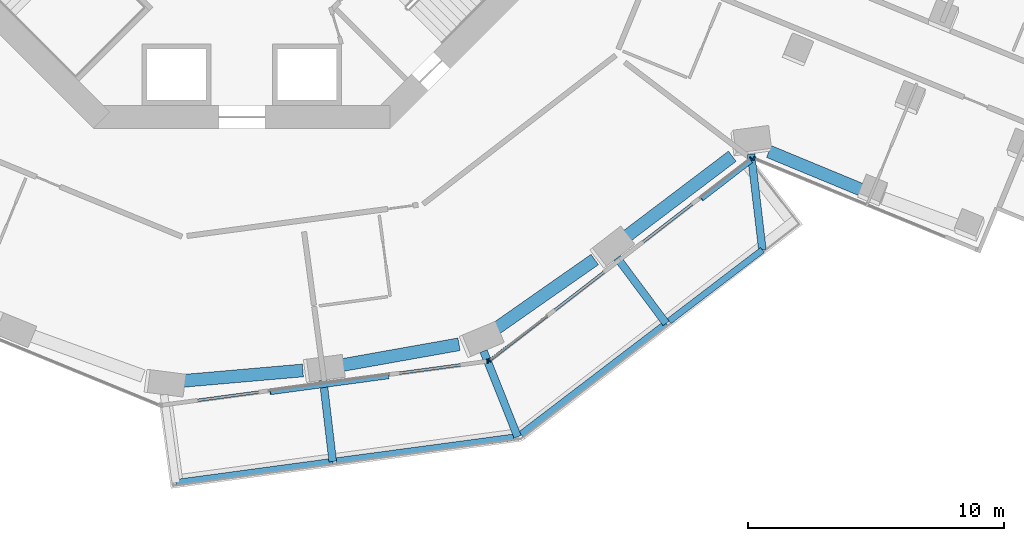
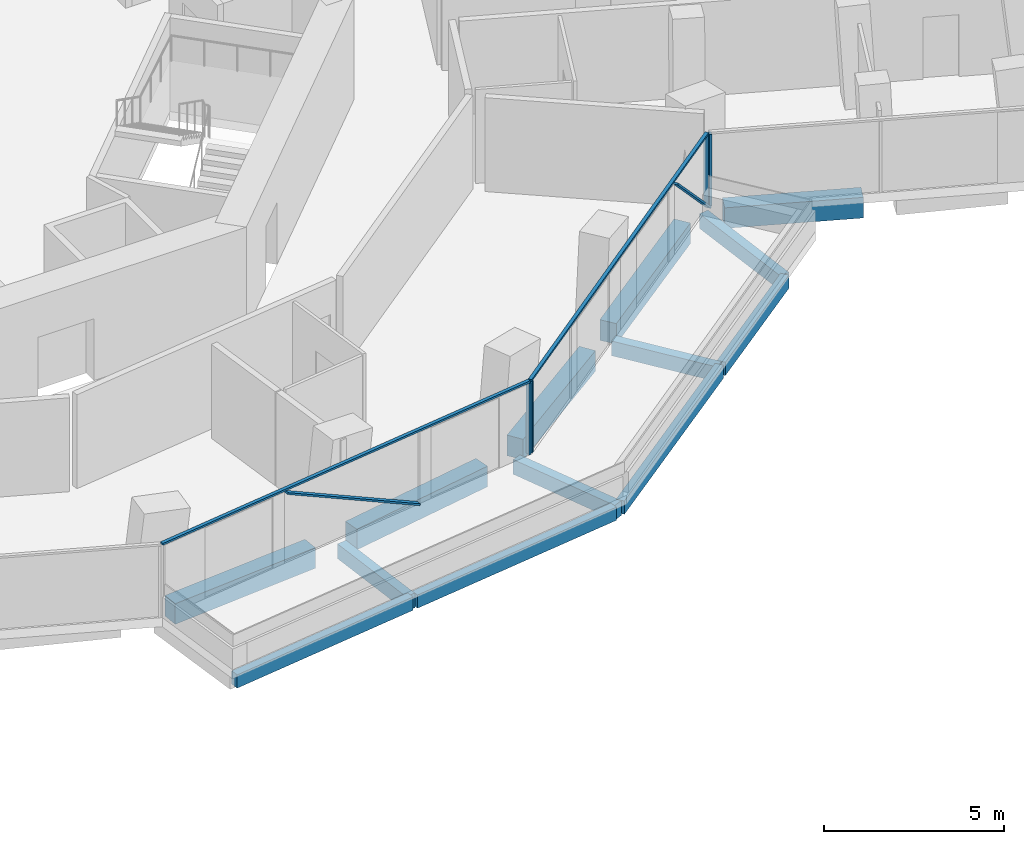
# One storey, part 5 of 27: 13 beams, 8 members, 3 elements without a shape of their own.
"""IFC4 building model written with IfcOpenShell, lengths in metres."""

from ifc_helpers import new_model, si_unit, direction, frame, origin, origin_2d, place, context, subcontext, project, spatial, rectangle, extrude, material, layer, layer_set, material_profile, profile_set, type_object, element, aggregate, save


model = new_model("IFC4")

# Units and contexts
model_context = context("Model", 3, precision=1e-05, world=origin(), true_north=direction((0.0, 1.0)))
body_context = subcontext(model_context, "Body", "Model", "MODEL_VIEW")
ifc_project = project(units=[si_unit("LENGTHUNIT", "METRE"), si_unit("AREAUNIT", "SQUARE_METRE"), si_unit("VOLUMEUNIT", "CUBIC_METRE"), si_unit("PLANEANGLEUNIT", "RADIAN"), si_unit("MASSUNIT", "GRAM", prefix="KILO")], contexts=[model_context])

# Site, building, storey
site_placement = place(None, origin())
site = spatial("IfcSite", under=ifc_project, at=site_placement, CompositionType="ELEMENT")
building_placement = place(site_placement, origin())
building = spatial("IfcBuilding", under=site, at=building_placement, Name="Verdalira Terraces Hotel", CompositionType="ELEMENT")
storey_placement = place(building_placement, frame((0.0, 0.0, 64.5)))
storey = spatial("IfcBuildingStorey", under=building, at=storey_placement, Name="L14", CompositionType="ELEMENT", Elevation=64.5)

# Beams
ifc_material_1 = material(Name="Concrete C40", Category="concrete")
ifc_material_profile_1 = material_profile(ifc_material_1, rectangle(XDim=0.300049, YDim=0.5, at=origin_2d()), Name="RC 300X500")
ifc_profile_set_1 = profile_set([ifc_material_profile_1], Name="Concrete C40")
beam_type_1 = type_object("IfcBeamType", Name="Balcony cantilever beam RC 300X500 C40", PredefinedType="BEAM", material=ifc_profile_set_1)
beam_1_placement = place(storey_placement, frame((3.180664, -23.846924, -0.560059), z_axis=(0.11700942, -0.993130805, 0.0), x_axis=(0.993130805, 0.11700942, 0.0)))
element("IfcBeam", 1, at=beam_1_placement, inside=storey, type_object=beam_type_1, Name="Balcony cantilever beam R26-2", PredefinedType="BEAM", context=body_context, shape_type="SweptSolid", body=[
    extrude(rectangle(XDim=0.300049, YDim=0.5, at=origin_2d()), origin(), (0.0, 0.0, 1.0), 3.200684),
])
beam_2_placement = place(storey_placement, frame((9.453125, -22.712402, -0.560059), z_axis=(0.370092384, -0.928994956, 0.0), x_axis=(0.928994956, 0.370092384, 0.0)))
element("IfcBeam", 2, at=beam_2_placement, inside=storey, type_object=beam_type_1, Name="Balcony cantilever beam R26-3", PredefinedType="BEAM", context=body_context, shape_type="SweptSolid", body=[
    extrude(rectangle(XDim=0.300049, YDim=0.5, at=origin_2d()), origin(), (0.0, 0.0, 1.0), 3.599854),
])
beam_3_placement = place(storey_placement, frame((14.677979, -19.061768, -0.560059), z_axis=(0.597947662, -0.801535148, 0.0), x_axis=(0.801535148, 0.597947662, 0.0)))
element("IfcBeam", 3, at=beam_3_placement, inside=storey, type_object=beam_type_1, Name="Balcony cantilever beam R26-4", PredefinedType="BEAM", context=body_context, shape_type="SweptSolid", body=[
    extrude(rectangle(XDim=0.300049, YDim=0.5, at=origin_2d()), origin(), (0.0, 0.0, 1.0), 3.200684),
])
beam_4_placement = place(storey_placement, frame((19.915283, -15.008789, -0.560059), z_axis=(0.117006459, -0.993131154, 0.0), x_axis=(0.993131154, 0.117006459, 0.0)))
element("IfcBeam", 4, at=beam_4_placement, inside=storey, type_object=beam_type_1, Name="Balcony cantilever beam R26-5", PredefinedType="BEAM", context=body_context, shape_type="SweptSolid", body=[
    extrude(rectangle(XDim=0.300049, YDim=0.5, at=origin_2d()), origin(), (0.0, 0.0, 1.0), 3.772461),
])
ifc_material_2 = material(Name="Concrete C40", Category="concrete")
ifc_material_profile_2 = material_profile(ifc_material_2, rectangle(XDim=0.25, YDim=0.449951, at=origin_2d()), Name="RC 250X450")
ifc_profile_set_2 = profile_set([ifc_material_profile_2], Name="Concrete C40")
beam_type_2 = type_object("IfcBeamType", Name="Balcony edge beam RC 250X450 C40", PredefinedType="BEAM", material=ifc_profile_set_2)
beam_5_placement = place(storey_placement, frame((-2.578613, -27.852783, -0.534912), z_axis=(0.991029743, 0.133641489, 0.0), x_axis=(-0.133641489, 0.991029743, 0.0)))
element("IfcBeam", 5, at=beam_5_placement, inside=storey, type_object=beam_type_2, Name="Balcony edge beam R26-1", PredefinedType="BEAM", context=body_context, shape_type="SweptSolid", body=[
    extrude(rectangle(XDim=0.25, YDim=0.449951, at=origin_2d()), origin(), (0.0, 0.0, 1.0), 6.189209),
])
beam_6_placement = place(storey_placement, frame((3.703857, -27.005615, -0.534912), z_axis=(0.991139526, 0.132824851, 0.0), x_axis=(-0.132824851, 0.991139526, 0.0)))
element("IfcBeam", 6, at=beam_6_placement, inside=storey, type_object=beam_type_2, Name="Balcony edge beam R26-2", PredefinedType="BEAM", context=body_context, shape_type="SweptSolid", body=[
    extrude(rectangle(XDim=0.25, YDim=0.449951, at=origin_2d()), origin(), (0.0, 0.0, 1.0), 6.990234),
])
beam_7_placement = place(storey_placement, frame((10.90918, -25.962158, -0.534912), z_axis=(0.795070882, 0.606516523, 0.0), x_axis=(-0.606516523, 0.795070882, 0.0)))
element("IfcBeam", 7, at=beam_7_placement, inside=storey, type_object=beam_type_2, Name="Balcony edge beam R26-3", PredefinedType="BEAM", context=body_context, shape_type="SweptSolid", body=[
    extrude(rectangle(XDim=0.25, YDim=0.449951, at=origin_2d()), origin(), (0.0, 0.0, 1.0), 7.147217),
])
beam_8_placement = place(storey_placement, frame((16.710938, -21.536377, -0.534912), z_axis=(0.795085698, 0.6064971, 0.0), x_axis=(-0.6064971, 0.795085698, 0.0)))
element("IfcBeam", 8, at=beam_8_placement, inside=storey, type_object=beam_type_2, Name="Balcony edge beam R26-4", PredefinedType="BEAM", context=body_context, shape_type="SweptSolid", body=[
    extrude(rectangle(XDim=0.25, YDim=0.449951, at=origin_2d()), origin(), (0.0, 0.0, 1.0), 4.585449),
])

# Curtain wall, member
ifc_material_3 = material(Name="Clear glass", Category="glass")
ifc_layer_1 = layer(ifc_material_3, 0.14990234375)
ifc_layer_set_1 = layer_set([ifc_layer_1], Name="CW1 curtain wall")
curtain_wall_type_1 = type_object("IfcCurtainWallType", Name="CW1 curtain wall", PredefinedType="NOTDEFINED", material=ifc_layer_set_1)
curtain_wall_1_placement = place(storey_placement, origin())
curtain_wall_1 = element("IfcCurtainWall", 9, at=curtain_wall_1_placement, inside=storey, type_object=curtain_wall_type_1, Name="CW1 curtain wall L14 edge 26", PredefinedType="NOTDEFINED")
ifc_material_4 = material(Name="Terracotta frame", Category="masonry")
ifc_material_profile_3 = material_profile(ifc_material_4, rectangle(XDim=0.060059, YDim=0.149902, at=origin_2d()), Name="MU 60x150")
ifc_profile_set_3 = profile_set([ifc_material_profile_3], Name="Terracotta frame")
member_type_1 = type_object("IfcMemberType", Name="CW1 mullion 60x150", PredefinedType="MULLION", material=ifc_profile_set_3)
member_1_placement = place(storey_placement, frame((9.604004, -23.107178, 0.0), z_axis=(0.0, 0.0, 1.0), x_axis=(0.991029909, 0.133640259, 0.0)))
member_1 = element("IfcMember", 10, at=member_1_placement, type_object=member_type_1, Name="CW1 mullion", PredefinedType="MULLION", context=body_context, shape_type="SweptSolid", body=[
    extrude(rectangle(XDim=0.060059, YDim=0.149902, at=origin_2d()), origin(), (0.0, 0.0, 1.0), 2.425049),
])

# Curtain wall, members
curtain_wall_2_placement = place(storey_placement, origin())
curtain_wall_2 = element("IfcCurtainWall", 11, at=curtain_wall_2_placement, inside=storey, type_object=curtain_wall_type_1, Name="CW1 curtain wall L14 edge 27", PredefinedType="NOTDEFINED")
member_2_placement = place(storey_placement, frame((9.693359, -23.069824, 0.0), z_axis=(0.0, 0.0, 1.0), x_axis=(0.791436948, 0.611250814, 0.0)))
member_2 = element("IfcMember", 12, at=member_2_placement, type_object=member_type_1, Name="CW1 mullion", PredefinedType="MULLION", context=body_context, shape_type="SweptSolid", body=[
    extrude(rectangle(XDim=0.060059, YDim=0.149902, at=origin_2d()), origin(), (0.0, 0.0, 1.0), 2.425049),
])
member_3_placement = place(storey_placement, frame((19.902588, -15.184814, 0.0), z_axis=(0.0, 0.0, 1.0), x_axis=(0.791436948, 0.611250814, 0.0)))
member_3 = element("IfcMember", 13, at=member_3_placement, type_object=member_type_1, Name="CW1 mullion", PredefinedType="MULLION", context=body_context, shape_type="SweptSolid", body=[
    extrude(rectangle(XDim=0.060059, YDim=0.149902, at=origin_2d()), origin(), (0.0, 0.0, 1.0), 2.425049),
])

# Member
ifc_material_5 = material(Name="Terracotta frame", Category="masonry")
ifc_material_profile_4 = material_profile(ifc_material_5, rectangle(XDim=0.110107, YDim=0.064941, at=origin_2d()), Name="TR 65x110")
ifc_profile_set_4 = profile_set([ifc_material_profile_4], Name="Terracotta frame")
member_type_2 = type_object("IfcMemberType", Name="CW1 transom 65x110", PredefinedType="USERDEFINED", material=ifc_profile_set_4)
member_4_placement = place(storey_placement, frame((-3.169922, -24.82959, 2.45752), z_axis=(0.991030077, 0.133639019, 0.0), x_axis=(-0.133639019, 0.991030077, 0.0)))
member_4 = element("IfcMember", 14, at=member_4_placement, type_object=member_type_2, Name="CW1 transom", ObjectType="TRANSOM", PredefinedType="USERDEFINED", context=body_context, shape_type="SweptSolid", body=[
    extrude(rectangle(XDim=0.110107, YDim=0.064941, at=origin_2d()), origin(), (0.0, 0.0, 1.0), 12.919678),
])

member_5_placement = place(storey_placement, frame((9.669434, -23.088135, 2.45752), z_axis=(0.791445305, 0.611239993, 0.0), x_axis=(-0.611239993, 0.791445305, 0.0)))
member_5 = element("IfcMember", 15, at=member_5_placement, type_object=member_type_2, Name="CW1 transom", ObjectType="TRANSOM", PredefinedType="USERDEFINED", context=body_context, shape_type="SweptSolid", body=[
    extrude(rectangle(XDim=0.110107, YDim=0.064941, at=origin_2d()), origin(), (0.0, 0.0, 1.0), 12.959961),
])

# Curtain wall, member
ifc_material_6 = material(Name="Clear glass", Category="glass")
ifc_layer_2 = layer(ifc_material_6, 0.14990234375)
ifc_layer_set_2 = layer_set([ifc_layer_2], Name="CW2 curtain wall")
curtain_wall_type_2 = type_object("IfcCurtainWallType", Name="CW2 curtain wall", PredefinedType="NOTDEFINED", material=ifc_layer_set_2)
curtain_wall_3_placement = place(storey_placement, origin())
curtain_wall_3 = element("IfcCurtainWall", 16, at=curtain_wall_3_placement, inside=storey, type_object=curtain_wall_type_2, Name="CW2 curtain wall L14 edge 28", PredefinedType="NOTDEFINED")
ifc_material_7 = material(Name="Terracotta frame", Category="masonry")
ifc_material_profile_5 = material_profile(ifc_material_7, rectangle(XDim=0.070068, YDim=0.149902, at=origin_2d()), Name="MU 70x150")
ifc_profile_set_5 = profile_set([ifc_material_profile_5], Name="Terracotta frame")
member_type_3 = type_object("IfcMemberType", Name="CW2 mullion 70x150", PredefinedType="MULLION", material=ifc_profile_set_5)
member_6_placement = place(storey_placement, frame((20.033203, -15.169678, 0.0), z_axis=(0.0, 0.0, 1.0), x_axis=(0.925077207, -0.379779096, 0.0)))
member_6 = element("IfcMember", 17, at=member_6_placement, type_object=member_type_3, Name="CW2 mullion", PredefinedType="MULLION", context=body_context, shape_type="SweptSolid", body=[
    extrude(rectangle(XDim=0.070068, YDim=0.149902, at=origin_2d()), origin(), (0.0, 0.0, 1.0), 2.425049),
])
aggregate(curtain_wall_3, [member_6])

# Member
ifc_material_8 = material(Name="Terracotta frame", Category="masonry")
ifc_material_profile_6 = material_profile(ifc_material_8, rectangle(XDim=0.149902, YDim=0.060059, at=origin_2d()), Name="GB 60x150")
ifc_profile_set_6 = profile_set([ifc_material_profile_6], Name="Terracotta frame")
member_type_4 = type_object("IfcMemberType", Name="Diagonal glazing bar 60x150", PredefinedType="USERDEFINED", material=ifc_profile_set_6)
member_7_placement = place(storey_placement, frame((1.116211, -24.341553, 2.397461), z_axis=(0.883001999, 0.119080623, -0.454012416), x_axis=(-0.133648983, 0.991028733, 0.0)))
member_7 = element("IfcMember", 18, at=member_7_placement, type_object=member_type_4, Name="Diagonal glazing bar", ObjectType="GLAZING BAR", PredefinedType="USERDEFINED", context=body_context, shape_type="SweptSolid", body=[
    extrude(rectangle(XDim=0.149902, YDim=0.060059, at=origin_2d()), origin(), (0.0, 0.0, 1.0), 5.219727),
])

aggregate(curtain_wall_1, [member_1, member_4, member_7])

member_8_placement = place(storey_placement, frame((17.989502, -16.774902, 2.4021), z_axis=(0.565811083, 0.437021976, -0.699192113), x_axis=(-0.611276113, 0.791417408, 0.0)))
member_8 = element("IfcMember", 19, at=member_8_placement, type_object=member_type_4, Name="Diagonal glazing bar", ObjectType="GLAZING BAR", PredefinedType="USERDEFINED", context=body_context, shape_type="SweptSolid", body=[
    extrude(rectangle(XDim=0.149902, YDim=0.060059, at=origin_2d()), origin(), (0.0, 0.0, 1.0), 3.402832),
])

aggregate(curtain_wall_2, [member_2, member_3, member_5, member_8])

# Beams
ifc_material_9 = material(Name="Concrete C70", Category="concrete")
ifc_material_profile_7 = material_profile(ifc_material_9, rectangle(XDim=0.5, YDim=0.699951, at=origin_2d()), Name="RC 500X700")
ifc_profile_set_7 = profile_set([ifc_material_profile_7], Name="Concrete C70")
beam_type_3 = type_object("IfcBeamType", Name="Spandrel beam RC 500X700 C70", PredefinedType="SPANDREL", material=ifc_profile_set_7)
beam_9_placement = place(storey_placement, frame((-2.354492, -23.878418, -0.659912), z_axis=(0.996234811, 0.086696026, 0.0), x_axis=(-0.086696026, 0.996234811, 0.0)))
element("IfcBeam", 20, at=beam_9_placement, inside=storey, type_object=beam_type_3, Name="Spandrel beam B21", PredefinedType="SPANDREL", context=body_context, shape_type="SweptSolid", body=[
    extrude(rectangle(XDim=0.5, YDim=0.699951, at=origin_2d()), origin(), (0.0, 0.0, 1.0), 4.759033),
])
beam_10_placement = place(storey_placement, frame((3.811523, -23.276611, -0.659912), z_axis=(0.984492239, 0.175428138, 0.0), x_axis=(-0.175428138, 0.984492239, 0.0)))
element("IfcBeam", 21, at=beam_10_placement, inside=storey, type_object=beam_type_3, Name="Spandrel beam B22", PredefinedType="SPANDREL", context=body_context, shape_type="SweptSolid", body=[
    extrude(rectangle(XDim=0.5, YDim=0.699951, at=origin_2d()), origin(), (0.0, 0.0, 1.0), 4.755371),
])
beam_11_placement = place(storey_placement, frame((9.900146, -21.856445, -0.659912), z_axis=(0.819402996, 0.573217873, 0.0), x_axis=(-0.573217873, 0.819402996, 0.0)))
element("IfcBeam", 22, at=beam_11_placement, inside=storey, type_object=beam_type_3, Name="Spandrel beam B23", PredefinedType="SPANDREL", context=body_context, shape_type="SweptSolid", body=[
    extrude(rectangle(XDim=0.5, YDim=0.699951, at=origin_2d()), origin(), (0.0, 0.0, 1.0), 4.759033),
])
beam_12_placement = place(storey_placement, frame((14.945068, -18.295166, -0.659912), z_axis=(0.797366932, 0.603494802, 0.0), x_axis=(-0.603494802, 0.797366932, 0.0)))
element("IfcBeam", 23, at=beam_12_placement, inside=storey, type_object=beam_type_3, Name="Spandrel beam B24", PredefinedType="SPANDREL", context=body_context, shape_type="SweptSolid", body=[
    extrude(rectangle(XDim=0.5, YDim=0.699951, at=origin_2d()), origin(), (0.0, 0.0, 1.0), 5.311768),
])
beam_13_placement = place(storey_placement, frame((20.611084, -14.905029, -0.659912), z_axis=(0.924100791, -0.382148829, 0.0), x_axis=(0.382148829, 0.924100791, 0.0)))
element("IfcBeam", 24, at=beam_13_placement, inside=storey, type_object=beam_type_3, Name="Spandrel beam B25", PredefinedType="SPANDREL", context=body_context, shape_type="SweptSolid", body=[
    extrude(rectangle(XDim=0.5, YDim=0.699951, at=origin_2d()), origin(), (0.0, 0.0, 1.0), 3.895752),
])

save(model, "model.ifc")
